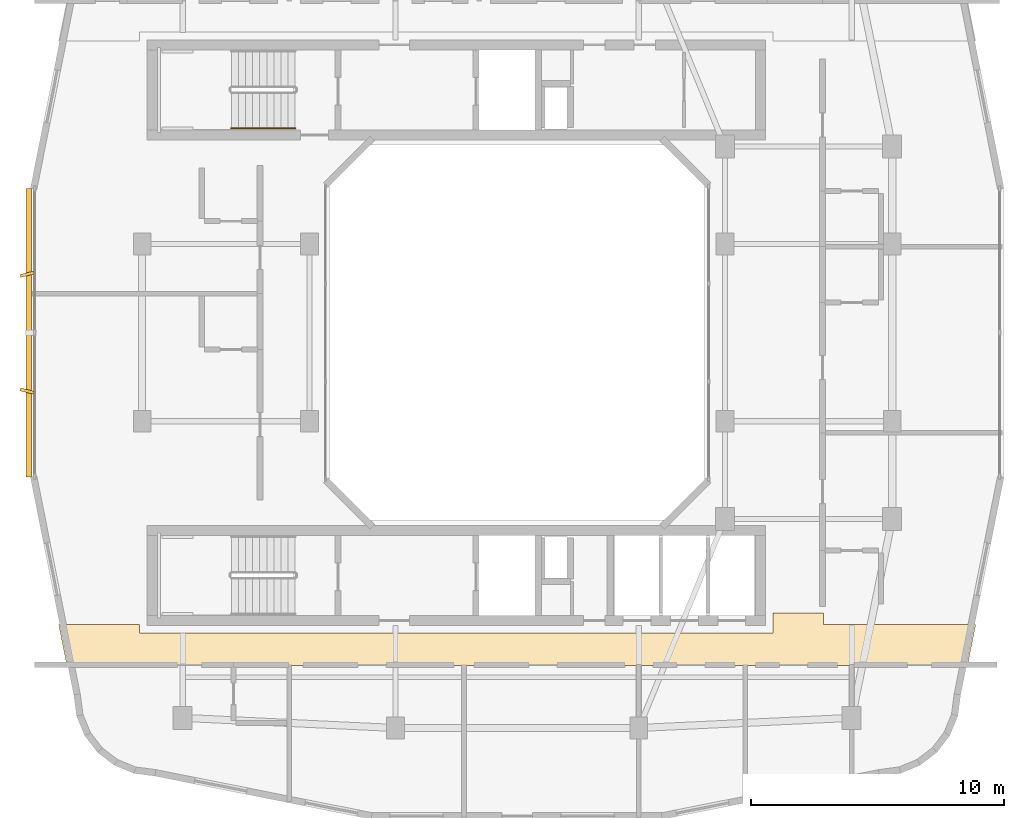
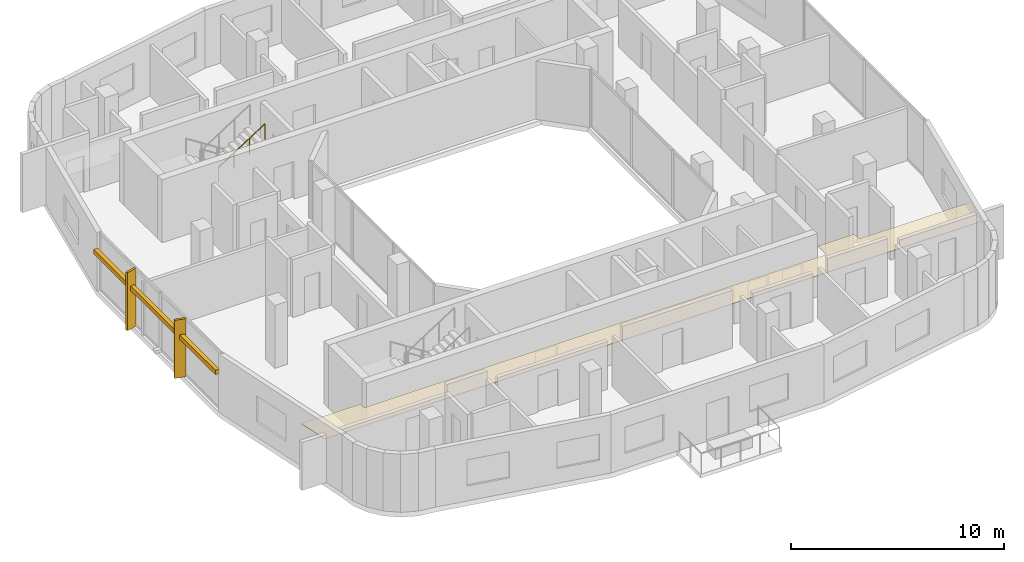
# One storey, part 11 of 13: 3 shading devices, 1 covering, 1 railing.
"""IFC4 building model written with IfcOpenShell, lengths in metres."""

from ifc_helpers import new_model, si_unit, derived_unit, direction, frame, origin, origin_2d, place, context, subcontext, project, spatial, polyline, rectangle, circle, outline, extrude, material, layer, layer_set, type_object, element, save


model = new_model("IFC4")

# Units and contexts
model_context = context("Model", 3, precision=1e-05, world=origin(), true_north=direction((0.0, 1.0)))
body_context = subcontext(model_context, "Body", "Model", "MODEL_VIEW")
ifc_project = project(units=[si_unit("LENGTHUNIT", "METRE"), si_unit("AREAUNIT", "SQUARE_METRE"), si_unit("VOLUMEUNIT", "CUBIC_METRE"), si_unit("PLANEANGLEUNIT", "RADIAN"), si_unit("MASSUNIT", "GRAM", prefix="KILO"), derived_unit("THERMALTRANSMITTANCEUNIT", [(si_unit("POWERUNIT", "WATT"), 1), (si_unit("LENGTHUNIT", "METRE"), -2), (si_unit("THERMODYNAMICTEMPERATUREUNIT", "KELVIN"), -1)])], contexts=[model_context])

# Site, building, storey
site_placement = place(None, origin())
site = spatial("IfcSite", under=ifc_project, at=site_placement, CompositionType="ELEMENT")
building_placement = place(site_placement, origin())
building = spatial("IfcBuilding", under=site, at=building_placement, Name="Kivonza Crest Hotel", CompositionType="ELEMENT")
storey_placement = place(building_placement, frame((0.0, 0.0, 231.5)))
storey = spatial("IfcBuildingStorey", under=building, at=storey_placement, Name="L63", CompositionType="ELEMENT", Elevation=231.5)

# Covering
ifc_material_1 = material(Name="Moisture-resistant gypsum plasterboard ceiling", Category="gypsum")
ifc_layer = layer(ifc_material_1, 0.030029296875)
ifc_layer_set = layer_set([ifc_layer], Name="Moisture-resistant gypsum plasterboard ceiling")
covering_type = type_object("IfcCoveringType", Name="CV-CEIL-GYP", PredefinedType="CEILING", material=ifc_layer_set)
covering_placement = place(storey_placement, frame((0.0, 0.0, 2.449951171875)))
element("IfcCovering", 1, at=covering_placement, inside=storey, type_object=covering_type, Name="L63 Hotel South Guest Corridor suspended ceiling", PredefinedType="CEILING", context=body_context, shape_type="SweptSolid", body=[
    extrude(outline(polyline([(33.090087890625, 13.47998046875), (33.090087890625, 13.93994140625), (31.10009765625, 13.93994140625), (31.10009765625, 13.139892578125), (6.10009765625, 13.139892578125), (6.10009765625, 13.47998046875), (2.906005859375, 13.47998046875), (3.22802734375, 11.860107421875), (38.77197265625, 11.860107421875), (39.093994140625, 13.47998046875), (33.090087890625, 13.47998046875)])), origin(), (0.0, 0.0, 1.0), 0.030029296875),
])

# Railing
ifc_material_2 = material(Name="Brushed stainless steel handrail", Category="steel")
railing_type = type_object("IfcRailingType", Name="RL-HAND-900", PredefinedType="HANDRAIL", material=ifc_material_2)
railing_placement = place(storey_placement, frame((9.719970703125, 33.070068359375, 1.97998046875)))
element("IfcRailing", 2, at=railing_placement, inside=storey, type_object=railing_type, Name="L63 ST-T1-N stair handrail 2", PredefinedType="HANDRAIL", context=body_context, shape_type="SweptSolid", body=[
    extrude(circle(Radius=0.02392578125, at=origin_2d()), frame((0.0, 0.0, 0.8759765625), z_axis=(0.841162588446, 0.0, 0.540782303519), x_axis=(0.0, 1.0, 0.0)), (0.0, 0.0, 1.0), 2.995849609375),
    extrude(circle(Radius=0.02099609375, at=origin_2d()), origin(), (0.0, 0.0, 1.0), 0.851806640625),
    extrude(circle(Radius=0.02099609375, at=origin_2d()), frame((0.840087890625, 0.0, 0.5400390625)), (0.0, 0.0, 1.0), 0.851806640625),
    extrude(circle(Radius=0.02099609375, at=origin_2d()), frame((1.679931640625, 0.0, 1.080078125)), (0.0, 0.0, 1.0), 0.851806640625),
    extrude(circle(Radius=0.02099609375, at=origin_2d()), frame((2.52001953125, 0.0, 1.6201171875)), (0.0, 0.0, 1.0), 0.851806640625),
])

# Shading devices
ifc_material_3 = material(Name="Kiln-fired Nairobi red-ochre terracotta", Category="masonry")
shading_device_type_1 = type_object("IfcShadingDeviceType", Name="SH-BAGUETTE-300", PredefinedType="USERDEFINED", material=ifc_material_3)
shading_device_placement = place(storey_placement, frame((1.719970703125, 25.0, 2.19384765625), z_axis=(0.0, 0.0, 1.0), x_axis=(0.0, -1.0, 0.0)))
element("IfcShadingDevice", 3, at=shading_device_placement, inside=storey, type_object=shading_device_type_1, Name="L63 terracotta baguette screen CW-T1-L63-35", ObjectType="BAGUETTE", PredefinedType="USERDEFINED", context=body_context, shape_type="SweptSolid", body=[
    extrude(rectangle(XDim=11.39990234375, YDim=0.219970703125, at=origin_2d()), origin(), (0.0, 0.0, 1.0), 0.260009765625),
])
ifc_material_4 = material(Name="Kiln-fired terracotta over extruded aluminium spine", Category="masonry")
shading_device_type_2 = type_object("IfcShadingDeviceType", Name="SH-FIN-550", PredefinedType="USERDEFINED", material=ifc_material_4)
for number, where, z_axis, x_axis, name in (
    (4, (1.659912109375, 27.303955078125, 0.0), (0.0, 0.0, 1.0), (0.2419218956, -0.970295726276, 0.0), "L63 vertical solar shading fin CW-T1-L63-35-1"),
    (5, (1.659912109375, 22.696044921875, 0.0), (0.0, 0.0, 1.0), (-0.2419218956, -0.970295726276, 0.0), "L63 vertical solar shading fin CW-T1-L63-35-2"),
):
    element("IfcShadingDevice", number, at=place(storey_placement, frame(where, z_axis=z_axis, x_axis=x_axis)), inside=storey, type_object=shading_device_type_2, Name=name, ObjectType="FIN", PredefinedType="USERDEFINED", context=body_context, shape_type="SweptSolid", body=[
        extrude(rectangle(XDim=0.1201171875, YDim=0.550048828125, at=origin_2d()), origin(), (0.0, 0.0, 1.0), 3.320068359375),
    ])

save(model, "model.ifc")
